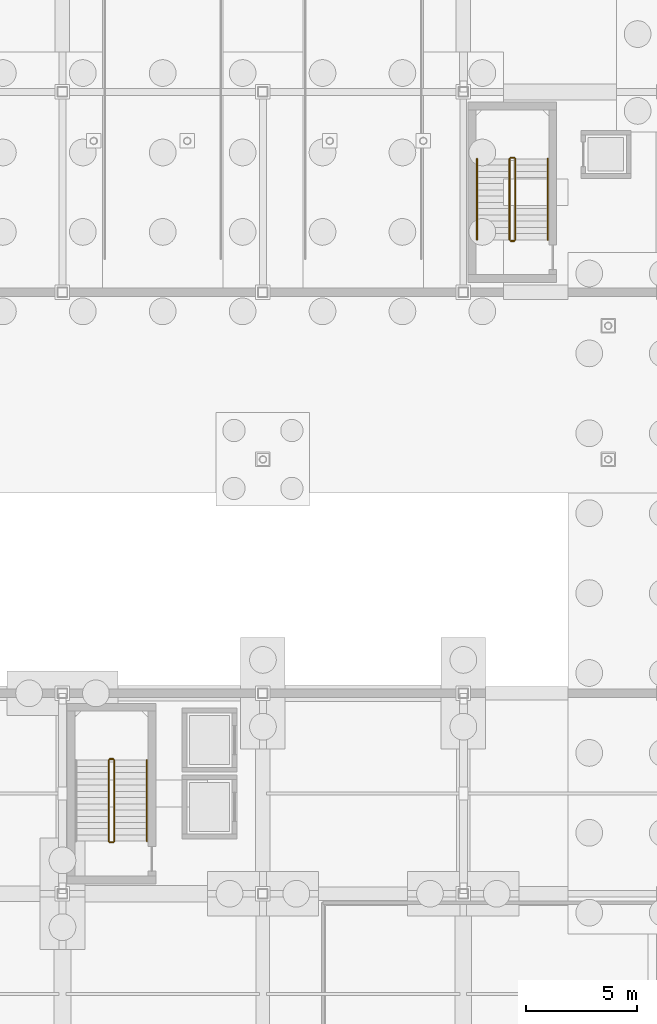
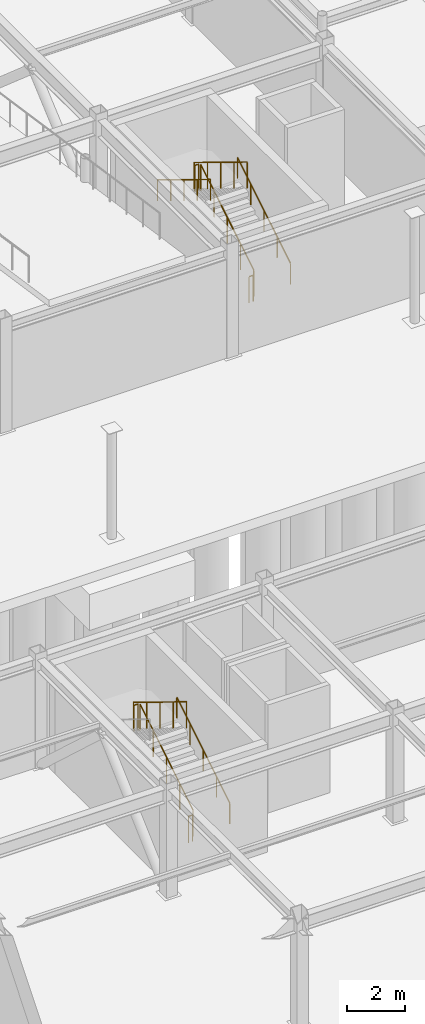
# One storey, part 63 of 74: 11 railings.
"""IFC4 building model written with IfcOpenShell, lengths in metres."""

from ifc_helpers import new_model, si_unit, direction, frame, origin, origin_2d, place, context, subcontext, project, spatial, circle, extrude, material, type_object, element, save


model = new_model("IFC4")

# Units and contexts
model_context = context("Model", 3, precision=1e-05, world=origin(), true_north=direction((0.0, 1.0)))
body_context = subcontext(model_context, "Body", "Model", "MODEL_VIEW")
ifc_project = project(units=[si_unit("LENGTHUNIT", "METRE"), si_unit("AREAUNIT", "SQUARE_METRE"), si_unit("VOLUMEUNIT", "CUBIC_METRE"), si_unit("PLANEANGLEUNIT", "RADIAN"), si_unit("MASSUNIT", "GRAM", prefix="KILO")], contexts=[model_context])

# Site, building, storey
site_placement = place(None, origin())
site = spatial("IfcSite", under=ifc_project, at=site_placement, CompositionType="ELEMENT")
building_placement = place(site_placement, origin())
building = spatial("IfcBuilding", under=site, at=building_placement, Name="Suzunagisa Mobility Hub", CompositionType="ELEMENT")
storey_placement = place(building_placement, frame((0.0, 0.0, -4.800048828125)))
storey = spatial("IfcBuildingStorey", under=building, at=storey_placement, Name="B1", CompositionType="ELEMENT", Elevation=-4.800048828125)

# Railings
ifc_material = material(Name="Stainless Steel SUS304", Category="metal")
railing_type_1 = type_object("IfcRailingType", Name="Interior Well Guardrail IGR-01", PredefinedType="GUARDRAIL", material=ifc_material)
railing_1_placement = place(storey_placement, frame((11.330078125, 55.360107421875, 0.17138671875)))
element("IfcRailing", 1, at=railing_1_placement, inside=storey, type_object=railing_type_1, Name="B1 ST-01 stair guard 1", PredefinedType="GUARDRAIL", context=body_context, shape_type="SweptSolid", body=[
    extrude(circle(Radius=0.02392578125, at=origin_2d()), frame((0.0, 0.0, 1.09619140625), z_axis=(0.0, 0.852824790078, 0.522197163366), x_axis=(-1.0, 0.0, 0.0)), (0.0, 0.0, 1.0), 4.26806640625),
    extrude(circle(Radius=0.02099609375, at=origin_2d()), origin(), (0.0, 0.0, 1.0), 1.072021484375),
    extrude(circle(Radius=0.02099609375, at=origin_2d()), frame((0.0, 0.909912109375, 0.55712890625)), (0.0, 0.0, 1.0), 1.072021484375),
    extrude(circle(Radius=0.02099609375, at=origin_2d()), frame((0.0, 1.81982421875, 1.1142578125)), (0.0, 0.0, 1.0), 1.072021484375),
    extrude(circle(Radius=0.02099609375, at=origin_2d()), frame((0.0, 2.72998046875, 1.671630859375)), (0.0, 0.0, 1.0), 1.072021484375),
    extrude(circle(Radius=0.02099609375, at=origin_2d()), frame((0.0, 3.639892578125, 2.228759765625)), (0.0, 0.0, 1.0), 1.072021484375),
])
railing_2_placement = place(storey_placement, frame((11.280029296875, 59.050048828125, 2.400146484375)))
element("IfcRailing", 2, at=railing_2_placement, inside=storey, type_object=railing_type_1, Name="B1 ST-01 stair guard 2", PredefinedType="GUARDRAIL", context=body_context, shape_type="SweptSolid", body=[
    extrude(circle(Radius=0.02392578125, at=origin_2d()), frame((0.0, 0.0, 1.09619140625), z_axis=(-1.0, 0.0, 0.0), x_axis=(0.0, -1.0, 0.0)), (0.0, 0.0, 1.0), 0.159912109375),
    extrude(circle(Radius=0.02099609375, at=origin_2d()), origin(), (0.0, 0.0, 1.0), 1.072021484375),
    extrude(circle(Radius=0.02099609375, at=origin_2d()), frame((-0.159912109375, 0.0, 0.0)), (0.0, 0.0, 1.0), 1.072021484375),
])
railing_3_placement = place(storey_placement, frame((11.070068359375, 59.0, 2.571533203125)))
element("IfcRailing", 3, at=railing_3_placement, inside=storey, type_object=railing_type_1, Name="B1 ST-01 stair guard 3", PredefinedType="GUARDRAIL", context=body_context, shape_type="SweptSolid", body=[
    extrude(circle(Radius=0.02392578125, at=origin_2d()), frame((0.0, 0.0, 1.09619140625), z_axis=(0.0, -0.852850264322, 0.5221555579), x_axis=(1.0, 0.0, 0.0)), (0.0, 0.0, 1.0), 4.267822265625),
    extrude(circle(Radius=0.02099609375, at=origin_2d()), origin(), (0.0, 0.0, 1.0), 1.072021484375),
    extrude(circle(Radius=0.02099609375, at=origin_2d()), frame((0.0, -0.909912109375, 0.55712890625)), (0.0, 0.0, 1.0), 1.072021484375),
    extrude(circle(Radius=0.02099609375, at=origin_2d()), frame((0.0, -1.81982421875, 1.1142578125)), (0.0, 0.0, 1.0), 1.072021484375),
    extrude(circle(Radius=0.02099609375, at=origin_2d()), frame((0.0, -2.72998046875, 1.67138671875)), (0.0, 0.0, 1.0), 1.072021484375),
    extrude(circle(Radius=0.02099609375, at=origin_2d()), frame((0.0, -3.639892578125, 2.228515625)), (0.0, 0.0, 1.0), 1.072021484375),
])
railing_4_placement = place(storey_placement, frame((11.280029296875, 55.31005859375, 0.0)))
element("IfcRailing", 4, at=railing_4_placement, inside=storey, type_object=railing_type_1, Name="B1 ST-01 stair guard 4", PredefinedType="GUARDRAIL", context=body_context, shape_type="SweptSolid", body=[
    extrude(circle(Radius=0.02392578125, at=origin_2d()), frame((0.0, 0.0, 1.09619140625), z_axis=(-1.0, 0.0, 0.0), x_axis=(0.0, -1.0, 0.0)), (0.0, 0.0, 1.0), 0.159912109375),
    extrude(circle(Radius=0.02099609375, at=origin_2d()), origin(), (0.0, 0.0, 1.0), 1.072021484375),
    extrude(circle(Radius=0.02099609375, at=origin_2d()), frame((-0.159912109375, 0.0, 0.0)), (0.0, 0.0, 1.0), 1.072021484375),
])
railing_5_placement = place(storey_placement, frame((29.330078125, 82.360107421875, 0.17138671875)))
element("IfcRailing", 5, at=railing_5_placement, inside=storey, type_object=railing_type_1, Name="B1 ST-05 stair guard 1", PredefinedType="GUARDRAIL", context=body_context, shape_type="SweptSolid", body=[
    extrude(circle(Radius=0.02392578125, at=origin_2d()), frame((0.0, 0.0, 1.09619140625), z_axis=(0.0, 0.852824790078, 0.522197163366), x_axis=(-1.0, 0.0, 0.0)), (0.0, 0.0, 1.0), 4.26806640625),
    extrude(circle(Radius=0.02099609375, at=origin_2d()), origin(), (0.0, 0.0, 1.0), 1.072021484375),
    extrude(circle(Radius=0.02099609375, at=origin_2d()), frame((0.0, 0.909912109375, 0.55712890625)), (0.0, 0.0, 1.0), 1.072021484375),
    extrude(circle(Radius=0.02099609375, at=origin_2d()), frame((0.0, 1.81982421875, 1.1142578125)), (0.0, 0.0, 1.0), 1.072021484375),
    extrude(circle(Radius=0.02099609375, at=origin_2d()), frame((0.0, 2.72998046875, 1.671630859375)), (0.0, 0.0, 1.0), 1.072021484375),
    extrude(circle(Radius=0.02099609375, at=origin_2d()), frame((0.0, 3.639892578125, 2.228759765625)), (0.0, 0.0, 1.0), 1.072021484375),
])
railing_6_placement = place(storey_placement, frame((29.280029296875, 86.050048828125, 2.400146484375)))
element("IfcRailing", 6, at=railing_6_placement, inside=storey, type_object=railing_type_1, Name="B1 ST-05 stair guard 2", PredefinedType="GUARDRAIL", context=body_context, shape_type="SweptSolid", body=[
    extrude(circle(Radius=0.02392578125, at=origin_2d()), frame((0.0, 0.0, 1.09619140625), z_axis=(-1.0, 0.0, 0.0), x_axis=(0.0, -1.0, 0.0)), (0.0, 0.0, 1.0), 0.159912109375),
    extrude(circle(Radius=0.02099609375, at=origin_2d()), origin(), (0.0, 0.0, 1.0), 1.072021484375),
    extrude(circle(Radius=0.02099609375, at=origin_2d()), frame((-0.159912109375, 0.0, 0.0)), (0.0, 0.0, 1.0), 1.072021484375),
])
railing_7_placement = place(storey_placement, frame((29.070068359375, 86.0, 2.571533203125)))
element("IfcRailing", 7, at=railing_7_placement, inside=storey, type_object=railing_type_1, Name="B1 ST-05 stair guard 3", PredefinedType="GUARDRAIL", context=body_context, shape_type="SweptSolid", body=[
    extrude(circle(Radius=0.02392578125, at=origin_2d()), frame((0.0, 0.0, 1.09619140625), z_axis=(0.0, -0.852850264322, 0.5221555579), x_axis=(1.0, 0.0, 0.0)), (0.0, 0.0, 1.0), 4.267822265625),
    extrude(circle(Radius=0.02099609375, at=origin_2d()), origin(), (0.0, 0.0, 1.0), 1.072021484375),
    extrude(circle(Radius=0.02099609375, at=origin_2d()), frame((0.0, -0.909912109375, 0.55712890625)), (0.0, 0.0, 1.0), 1.072021484375),
    extrude(circle(Radius=0.02099609375, at=origin_2d()), frame((0.0, -1.81982421875, 1.1142578125)), (0.0, 0.0, 1.0), 1.072021484375),
    extrude(circle(Radius=0.02099609375, at=origin_2d()), frame((0.0, -2.72998046875, 1.67138671875)), (0.0, 0.0, 1.0), 1.072021484375),
    extrude(circle(Radius=0.02099609375, at=origin_2d()), frame((0.0, -3.639892578125, 2.228515625)), (0.0, 0.0, 1.0), 1.072021484375),
])
railing_8_placement = place(storey_placement, frame((29.280029296875, 82.31005859375, 0.0)))
element("IfcRailing", 8, at=railing_8_placement, inside=storey, type_object=railing_type_1, Name="B1 ST-05 stair guard 4", PredefinedType="GUARDRAIL", context=body_context, shape_type="SweptSolid", body=[
    extrude(circle(Radius=0.02392578125, at=origin_2d()), frame((0.0, 0.0, 1.09619140625), z_axis=(-1.0, 0.0, 0.0), x_axis=(0.0, -1.0, 0.0)), (0.0, 0.0, 1.0), 0.159912109375),
    extrude(circle(Radius=0.02099609375, at=origin_2d()), origin(), (0.0, 0.0, 1.0), 1.072021484375),
    extrude(circle(Radius=0.02099609375, at=origin_2d()), frame((-0.159912109375, 0.0, 0.0)), (0.0, 0.0, 1.0), 1.072021484375),
])
railing_type_2 = type_object("IfcRailingType", Name="Tubular Stainless Stair Handrail IHR-01", PredefinedType="HANDRAIL", material=ifc_material)
for number, where, name in (
    (9, (12.7900390625, 55.360107421875, 0.17138671875), "B1 ST-01 stair handrail 1"),
    (10, (30.7900390625, 82.360107421875, 0.17138671875), "B1 ST-05 stair handrail 1"),
):
    element("IfcRailing", number, at=place(storey_placement, frame(where)), inside=storey, type_object=railing_type_2, Name=name, PredefinedType="HANDRAIL", context=body_context, shape_type="SweptSolid", body=[
        extrude(circle(Radius=0.02392578125, at=origin_2d()), frame((0.0, 0.0, 0.8759765625), z_axis=(0.0, 0.852824790078, 0.522197163366), x_axis=(-1.0, 0.0, 0.0)), (0.0, 0.0, 1.0), 4.26806640625),
        extrude(circle(Radius=0.02099609375, at=origin_2d()), origin(), (0.0, 0.0, 1.0), 0.851806640625),
        extrude(circle(Radius=0.02099609375, at=origin_2d()), frame((0.0, 0.909912109375, 0.55712890625)), (0.0, 0.0, 1.0), 0.851806640625),
        extrude(circle(Radius=0.02099609375, at=origin_2d()), frame((0.0, 1.81982421875, 1.1142578125)), (0.0, 0.0, 1.0), 0.851806640625),
        extrude(circle(Radius=0.02099609375, at=origin_2d()), frame((0.0, 2.72998046875, 1.671630859375)), (0.0, 0.0, 1.0), 0.851806640625),
        extrude(circle(Radius=0.02099609375, at=origin_2d()), frame((0.0, 3.639892578125, 2.228759765625)), (0.0, 0.0, 1.0), 0.851806640625),
    ])
railing_9_placement = place(storey_placement, frame((27.610107421875, 86.0, 2.571533203125)))
element("IfcRailing", 11, at=railing_9_placement, inside=storey, type_object=railing_type_2, Name="B1 ST-05 stair handrail 2", PredefinedType="HANDRAIL", context=body_context, shape_type="SweptSolid", body=[
    extrude(circle(Radius=0.02392578125, at=origin_2d()), frame((0.0, 0.0, 0.8759765625), z_axis=(0.0, -0.852850264322, 0.5221555579), x_axis=(1.0, 0.0, 0.0)), (0.0, 0.0, 1.0), 4.267822265625),
    extrude(circle(Radius=0.02099609375, at=origin_2d()), origin(), (0.0, 0.0, 1.0), 0.851806640625),
    extrude(circle(Radius=0.02099609375, at=origin_2d()), frame((0.0, -0.909912109375, 0.55712890625)), (0.0, 0.0, 1.0), 0.851806640625),
    extrude(circle(Radius=0.02099609375, at=origin_2d()), frame((0.0, -1.81982421875, 1.1142578125)), (0.0, 0.0, 1.0), 0.851806640625),
    extrude(circle(Radius=0.02099609375, at=origin_2d()), frame((0.0, -2.72998046875, 1.67138671875)), (0.0, 0.0, 1.0), 0.851806640625),
    extrude(circle(Radius=0.02099609375, at=origin_2d()), frame((0.0, -3.639892578125, 2.228515625)), (0.0, 0.0, 1.0), 0.851806640625),
])

save(model, "model.ifc")
